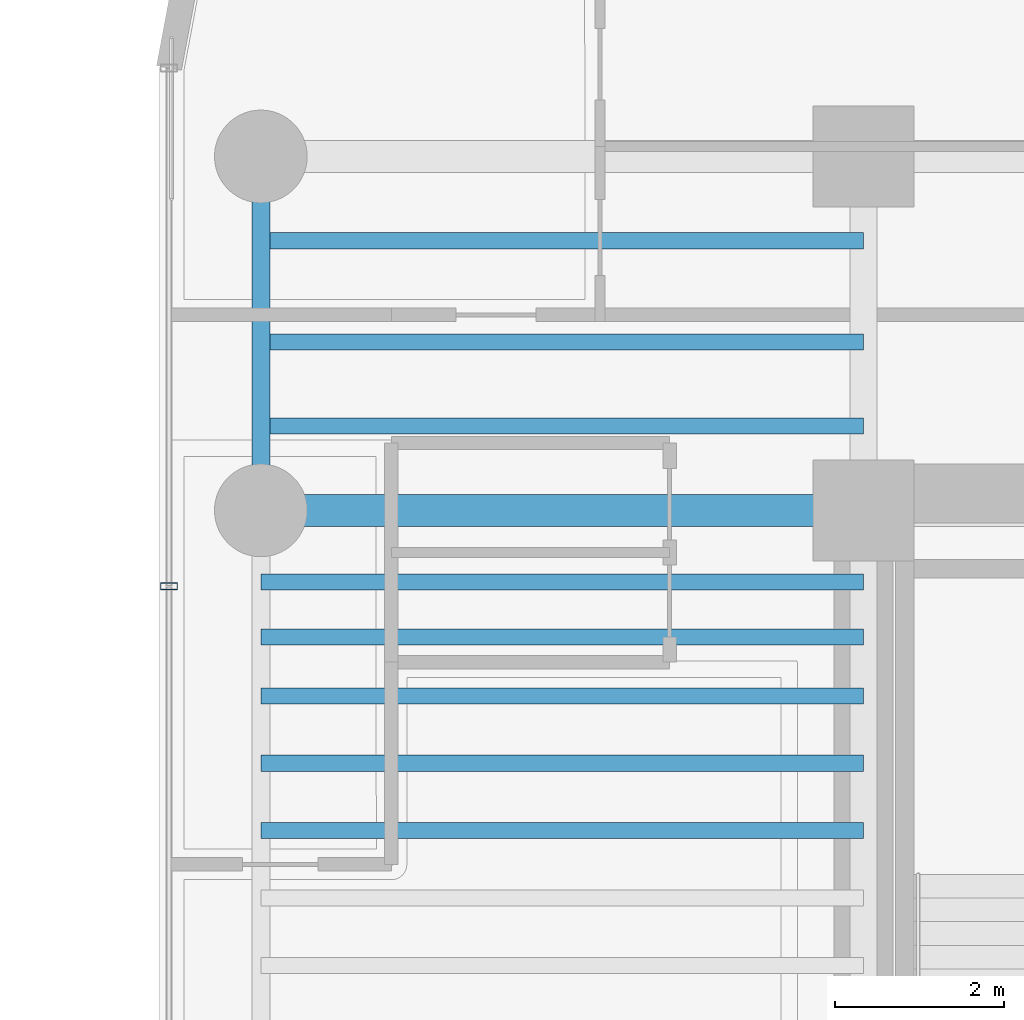
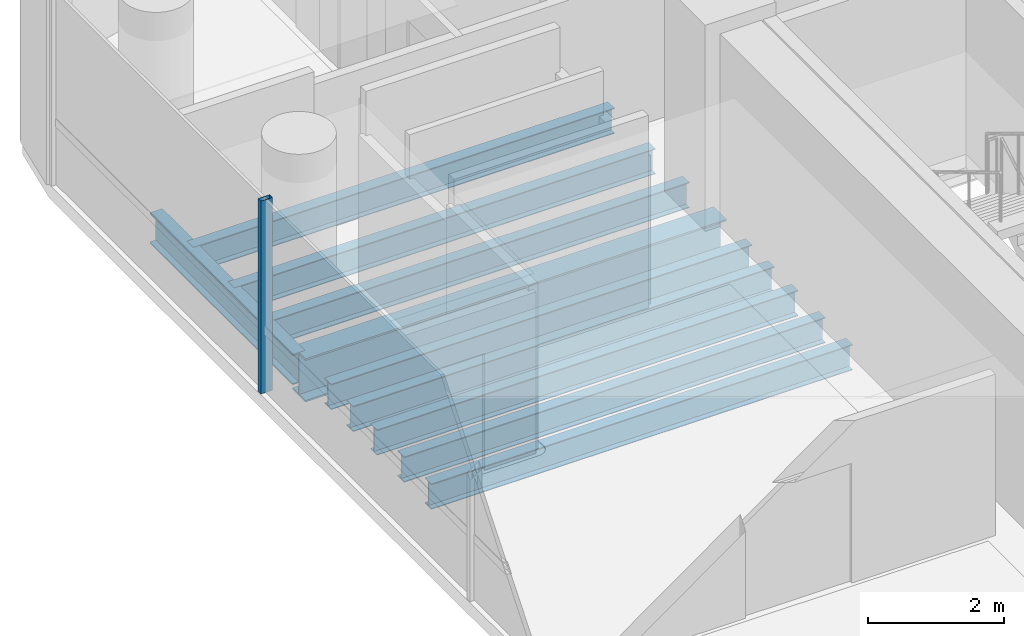
# One storey, part 9 of 38: 10 beams, 1 member, 1 element without a shape of its own.
"""IFC4 building model written with IfcOpenShell, lengths in metres."""

from ifc_helpers import new_model, si_unit, direction, frame, origin, origin_2d, place, context, subcontext, project, spatial, hollow_rectangle, i_section, extrude, source, transform, mapped, material, material_profile, profile_set, type_object, element, aggregate, save


model = new_model("IFC4")

# Units and contexts
model_context = context("Model", 3, precision=1e-05, world=origin(), true_north=direction((0.0, 1.0)))
body_context = subcontext(model_context, "Body", "Model", "MODEL_VIEW")
ifc_project = project(units=[si_unit("LENGTHUNIT", "METRE"), si_unit("AREAUNIT", "SQUARE_METRE"), si_unit("VOLUMEUNIT", "CUBIC_METRE"), si_unit("PLANEANGLEUNIT", "RADIAN"), si_unit("MASSUNIT", "GRAM", prefix="KILO")], contexts=[model_context])

# Site, building, storey
site_placement = place(None, origin())
site = spatial("IfcSite", under=ifc_project, at=site_placement, CompositionType="ELEMENT")
building_placement = place(site_placement, origin())
building = spatial("IfcBuilding", under=site, at=building_placement, Name="Valdorenza Pilgrim Sanctuary Tower", CompositionType="ELEMENT")
storey_placement = place(building_placement, frame((0.0, 0.0, 131.60009765625)))
storey = spatial("IfcBuildingStorey", under=building, at=storey_placement, Name="L33", CompositionType="ELEMENT", Elevation=131.60009765625)

# Beams
ifc_material_1 = material(Name="Steel ASTM A992 Grade 50", Category="steel")
ifc_material_profile_1 = material_profile(ifc_material_1, i_section(OverallWidth=0.214111328125, OverallDepth=0.549072265625, WebThickness=0.0146484375, FlangeThickness=0.023681640625, at=origin_2d()), Name="W21X93")
ifc_profile_set_1 = profile_set([ifc_material_profile_1], Name="Steel ASTM A992 Grade 50")
beam_type_1 = type_object("IfcBeamType", Name="STR-BM-SPN-W21A", PredefinedType="SPANDREL", material=ifc_profile_set_1)
shared_shape_1 = source(origin(), body_context, "Body", "SweptSolid", [
    extrude(i_section(OverallWidth=0.214111328125, OverallDepth=0.549072265625, WebThickness=0.0146484375, FlangeThickness=0.023681640625, at=origin_2d()), origin(), (0.0, 0.0, 1.0), 4.199951171875),
])
beam_1_placement = place(storey_placement, frame((-29.800048828125, 10.60009765625, -0.5146484375), z_axis=(0.0, 1.0, 0.0), x_axis=(-1.0, 0.0, 0.0)))
element("IfcBeam", 1, at=beam_1_placement, inside=storey, type_object=beam_type_1, Name="L33 Spandrel Beam WA-W-N1N2", PredefinedType="SPANDREL", context=body_context, shape_type="MappedRepresentation", body=[
    mapped(shared_shape_1, transform((0.0, 0.0, 0.0), x_axis=(1.0, 0.0, 0.0), y_axis=(0.0, 1.0, 0.0), z_axis=(0.0, 0.0, 1.0), scale=1.0)),
])
ifc_material_profile_2 = material_profile(ifc_material_1, i_section(OverallWidth=0.382080078125, OverallDepth=0.779052734375, WebThickness=0.01806640625, FlangeThickness=0.030029296875, at=origin_2d()), Name="W30X191")
ifc_profile_set_2 = profile_set([ifc_material_profile_2], Name="Steel ASTM A992 Grade 50")
beam_type_2 = type_object("IfcBeamType", Name="STR-BM-GRD-W30", PredefinedType="BEAM", material=ifc_profile_set_2)
shared_shape_2 = source(origin(), body_context, "Body", "SweptSolid", [
    extrude(i_section(OverallWidth=0.382080078125, OverallDepth=0.779052734375, WebThickness=0.01806640625, FlangeThickness=0.030029296875, at=origin_2d()), origin(), (0.0, 0.0, 1.0), 7.150146484375),
])
beam_2_placement = place(storey_placement, frame((-29.800048828125, 10.60009765625, -0.629638671875), z_axis=(1.0, 0.0, 0.0), x_axis=(0.0, 1.0, 0.0)))
element("IfcBeam", 2, at=beam_2_placement, inside=storey, type_object=beam_type_2, Name="L33 Floor Girder WA-XW-N1", PredefinedType="BEAM", context=body_context, shape_type="MappedRepresentation", body=[
    mapped(shared_shape_2, transform((0.0, 0.0, 0.0), x_axis=(1.0, 0.0, 0.0), y_axis=(0.0, 1.0, 0.0), z_axis=(0.0, 0.0, 1.0), scale=1.0)),
])
ifc_material_profile_3 = material_profile(ifc_material_1, i_section(OverallWidth=0.19091796875, OverallDepth=0.45703125, WebThickness=0.009033203125, FlangeThickness=0.014404296875, at=origin_2d()), Name="W18X50")
ifc_profile_set_3 = profile_set([ifc_material_profile_3], Name="Steel ASTM A992 Grade 50")
beam_type_3 = type_object("IfcBeamType", Name="STR-BM-JST-W18B", PredefinedType="JOIST", material=ifc_profile_set_3)
shared_shape_3 = source(origin(), body_context, "Body", "SweptSolid", [
    extrude(i_section(OverallWidth=0.19091796875, OverallDepth=0.45703125, WebThickness=0.009033203125, FlangeThickness=0.014404296875, at=origin_2d()), origin(), (0.0, 0.0, 1.0), 7.150146484375),
])
for number, where, z_axis, x_axis, name in (
    (3, (-29.800048828125, 6.800048828125, -0.468505859375), (1.0, 0.0, 0.0), (0.0, 1.0, 0.0), "L33 Composite Floor Joist JST-WA-19"),
    (4, (-29.800048828125, 7.60009765625, -0.468505859375), (1.0, 0.0, 0.0), (0.0, 1.0, 0.0), "L33 Composite Floor Joist JST-WA-20"),
    (5, (-29.800048828125, 8.39990234375, -0.468505859375), (1.0, 0.0, 0.0), (0.0, 1.0, 0.0), "L33 Composite Floor Joist JST-WA-21"),
    (6, (-29.800048828125, 9.10009765625, -0.468505859375), (1.0, 0.0, 0.0), (0.0, 1.0, 0.0), "L33 Composite Floor Joist JST-WA-22"),
    (7, (-29.800048828125, 9.75, -0.468505859375), (1.0, 0.0, 0.0), (0.0, 1.0, 0.0), "L33 Composite Floor Joist JST-WA-23"),
    (8, (-29.800048828125, 11.60009765625, -0.468505859375), (1.0, 0.0, 0.0), (0.0, 1.0, 0.0), "L33 Composite Floor Joist JST-WA-24"),
    (9, (-29.800048828125, 12.60009765625, -0.468505859375), (1.0, 0.0, 0.0), (0.0, 1.0, 0.0), "L33 Composite Floor Joist JST-WA-25"),
    (10, (-29.800048828125, 13.800048828125, -0.468505859375), (1.0, 0.0, 0.0), (0.0, 1.0, 0.0), "L33 Composite Floor Joist JST-WA-26"),
):
    element("IfcBeam", number, at=place(storey_placement, frame(where, z_axis=z_axis, x_axis=x_axis)), inside=storey, type_object=beam_type_3, Name=name, PredefinedType="JOIST", context=body_context, shape_type="MappedRepresentation", body=[
        mapped(shared_shape_3, transform((0.0, 0.0, 0.0), x_axis=(1.0, 0.0, 0.0), y_axis=(0.0, 1.0, 0.0), z_axis=(0.0, 0.0, 1.0), scale=1.0)),
    ])

# Curtain wall, member
ifc_material_2 = material(Name="Curtain-wall IGU glazing", Category="glass")
curtain_wall_type = type_object("IfcCurtainWallType", Name="CW-SYS-02", PredefinedType="NOTDEFINED", material=ifc_material_2)
curtain_wall_placement = place(storey_placement, origin())
curtain_wall = element("IfcCurtainWall", 11, at=curtain_wall_placement, inside=storey, type_object=curtain_wall_type, Name="L33 Curtain Wall CW-L33-1-1S2", PredefinedType="NOTDEFINED")
ifc_material_3 = material(Name="Anodised aluminium AW-6060", Category="aluminium")
ifc_material_profile_4 = material_profile(ifc_material_3, hollow_rectangle(XDim=0.0849609375, YDim=0.199951171875, WallThickness=0.0048828125, at=origin_2d()), Name="ALU-M 200x85x5")
ifc_profile_set_4 = profile_set([ifc_material_profile_4], Name="Anodised aluminium AW-6060")
member_type = type_object("IfcMemberType", Name="CW-MUL-02", PredefinedType="MULLION", material=ifc_profile_set_4)
shared_shape_4 = source(origin(), body_context, "Body", "SweptSolid", [
    extrude(hollow_rectangle(XDim=0.0849609375, YDim=0.199951171875, WallThickness=0.0048828125, at=origin_2d()), origin(), (0.0, 0.0, 1.0), 3.4599609375),
])
member_placement = place(storey_placement, frame((-30.889892578125, 9.7001953125, 0.0), z_axis=(0.0, 0.0, 1.0), x_axis=(0.0, 1.0, 0.0)))
member = element("IfcMember", 12, at=member_placement, type_object=member_type, Name="CW-L33-1-1S2 Mullion 3", PredefinedType="MULLION", context=body_context, shape_type="MappedRepresentation", body=[
    mapped(shared_shape_4, transform((0.0, 0.0, 0.0), x_axis=(1.0, 0.0, 0.0), y_axis=(0.0, 1.0, 0.0), z_axis=(0.0, 0.0, 1.0), scale=1.0)),
])
aggregate(curtain_wall, [member])

save(model, "model.ifc")
